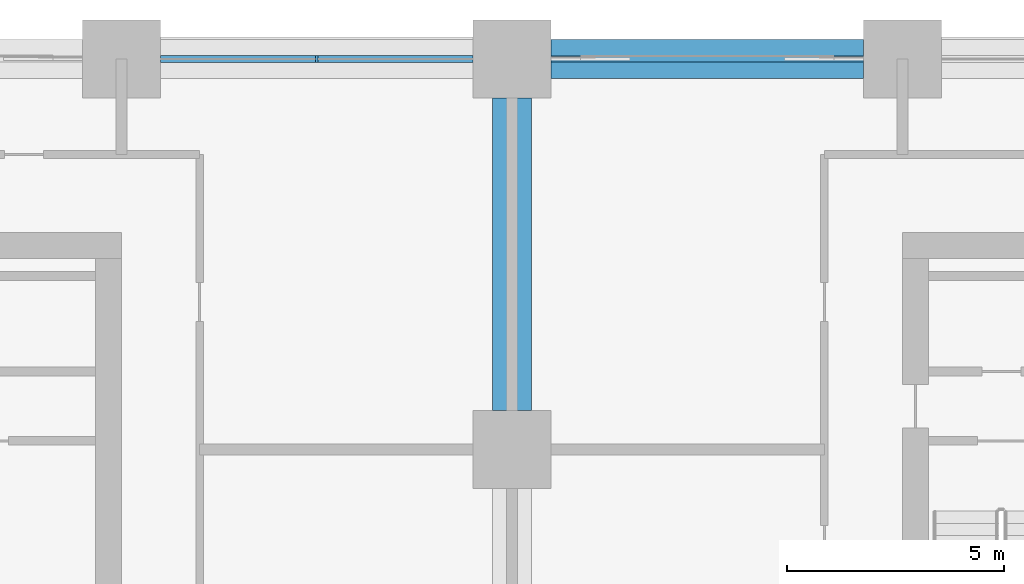
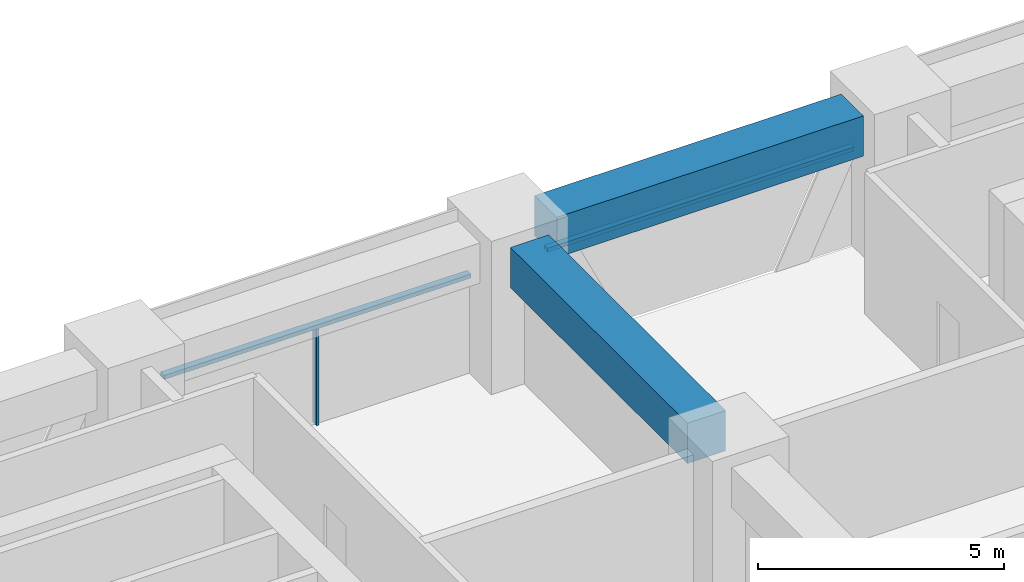
# One storey, part 7 of 18: 3 members, 2 beams, 2 elements without a shape of their own.
"""IFC4 building model written with IfcOpenShell, lengths in metres."""

import ifcopenshell
import ifcopenshell.guid

model = None  # the IFC model being written
_history = None  # IfcOwnerHistory: only IFC2X3 demands one
_inside = {}  # id of a spatial element -> (the spatial element, [elements in it])
_under = {}  # id of a project, library or spatial element -> (it, [spatial elements below it])
_declared = {}  # id of a project -> (the project, [libraries it declares])
_typed = {}  # id of a type object -> (the type object, [elements of that type])
_made_of = {}  # id of a material, layer set ... -> (it, [elements and type objects made of it])


def new_model(schema):
    """Start an empty IFC model of exactly this schema.

    Asked for "IFC4X3", IfcOpenShell would pick the latest addendum, in which some entities
    have other attributes; the version numbers below select the first issue.
    IFC2X3 requires an IfcOwnerHistory on every rooted entity: one is made here for all.
    """
    global model, _history
    if schema == "IFC4X3":
        model = ifcopenshell.file(schema_version=(4, 3, 0, 0))
    else:
        model = ifcopenshell.file(schema=schema)
    _inside.clear()
    _under.clear()
    _declared.clear()
    _typed.clear()
    _made_of.clear()
    _history = None
    if model.schema == "IFC2X3":
        org = make("IfcOrganization", Name="unknown")
        user = make(
            "IfcPersonAndOrganization",
            ThePerson=make("IfcPerson", FamilyName="unknown"),
            TheOrganization=org,
        )
        app = make(
            "IfcApplication",
            ApplicationDeveloper=org,
            Version="unknown",
            ApplicationFullName="unknown",
            ApplicationIdentifier="unknown",
        )
        _history = make(
            "IfcOwnerHistory",
            OwningUser=user,
            OwningApplication=app,
            ChangeAction="ADDED",
            CreationDate=0,
        )
    return model


def make(cls, **values):
    """One entity of the class cls with the attributes given. An attribute that is None is left unset."""
    return model.create_entity(
        cls, **{name: value for name, value in values.items() if value is not None}
    )


def rooted(cls, **values):
    """An entity with a GlobalId (a new one), such as an element, a storey or a relation."""
    return make(cls, GlobalId=ifcopenshell.guid.new(), OwnerHistory=_history, **values)


def si_unit(unit_type, name, prefix=None):
    """IfcSIUnit, for example si_unit("LENGTHUNIT", "METRE", prefix="MILLI")."""
    return make("IfcSIUnit", UnitType=unit_type, Prefix=prefix, Name=name)


def assignment(units):
    """IfcUnitAssignment: the units of a project."""
    return None if units is None else make("IfcUnitAssignment", Units=units)


def point(xyz):
    """IfcCartesianPoint."""
    return None if xyz is None else make("IfcCartesianPoint", Coordinates=xyz)


def direction(xyz):
    """IfcDirection."""
    return None if xyz is None else make("IfcDirection", DirectionRatios=xyz)


def frame(location, z_axis=None, x_axis=None):
    """IfcAxis2Placement3D, a coordinate frame: its origin and axes. An axis left out is left unset."""
    return make(
        "IfcAxis2Placement3D",
        Location=point(location),
        Axis=direction(z_axis),
        RefDirection=direction(x_axis),
    )


def frame_2d(location, x_axis=None):
    """IfcAxis2Placement2D, a coordinate frame in the plane: its origin and x axis."""
    return make(
        "IfcAxis2Placement2D", Location=point(location), RefDirection=direction(x_axis)
    )


def origin():
    """The frame at (0, 0, 0) with its axes left unset."""
    return frame((0.0, 0.0, 0.0))


def origin_2d():
    """The frame at (0, 0) in the plane with its x axis left unset."""
    return frame_2d((0.0, 0.0))


def place(relative_to, where):
    """IfcLocalPlacement: puts the frame where relative to a parent placement (None: the world)."""
    return make(
        "IfcLocalPlacement", PlacementRelTo=relative_to, RelativePlacement=where
    )


def context(
    kind, dimensions, precision=None, world=None, true_north=None, identifier=None
):
    """IfcGeometricRepresentationContext, for example the 3D "Model" context."""
    return make(
        "IfcGeometricRepresentationContext",
        ContextIdentifier=identifier,
        ContextType=kind,
        CoordinateSpaceDimension=dimensions,
        Precision=precision,
        WorldCoordinateSystem=world,
        TrueNorth=true_north,
    )


def subcontext(parent, identifier, kind, view, scale=None):
    """IfcGeometricRepresentationSubContext, for example "Body" below "Model"."""
    return make(
        "IfcGeometricRepresentationSubContext",
        ContextIdentifier=identifier,
        ContextType=kind,
        ParentContext=parent,
        TargetScale=scale,
        TargetView=view,
    )


def project(units=None, contexts=None):
    """IfcProject with its units and contexts."""
    return rooted(
        "IfcProject",
        Name="project",
        RepresentationContexts=contexts,
        UnitsInContext=assignment(units),
    )


def spatial(cls, under=None, at=None, **own):
    """A site, building, storey or space (cls), placed at a placement, below another one or the project."""
    s = rooted(cls, ObjectPlacement=at, **own)
    if under is not None:
        _under.setdefault(under.id(), (under, []))[1].append(s)
    return s


def profile(cls, at=None, kind="AREA", **sizes):
    """A parametric profile (cls). Its sizes go by their IFC names, for example OverallWidth=200.0."""
    return make(cls, ProfileType=kind, Position=at, **sizes)


def rectangle(**sizes):
    """IfcRectangleProfileDef."""
    return profile("IfcRectangleProfileDef", **sizes)


def extrude(swept, where, along, depth):
    """IfcExtrudedAreaSolid: the profile swept, set in the frame where, extruded along a direction by depth."""
    return make(
        "IfcExtrudedAreaSolid",
        SweptArea=swept,
        Position=where,
        ExtrudedDirection=direction(along),
        Depth=depth,
    )


def shape(context_of_items, identifier, shape_type, items):
    """IfcShapeRepresentation: the items that make up one representation, for example the "Body"."""
    return make(
        "IfcShapeRepresentation",
        ContextOfItems=context_of_items,
        RepresentationIdentifier=identifier,
        RepresentationType=shape_type,
        Items=items,
    )


def material(Name=None, Category=None):
    """IfcMaterial."""
    return make("IfcMaterial", Name=Name, Category=Category)


def material_profile(
    of_material, cross_section, Name=None, Category=None, Priority=None
):
    """IfcMaterialProfile: a cross section and its material."""
    return make(
        "IfcMaterialProfile",
        Name=Name,
        Material=of_material,
        Profile=cross_section,
        Priority=Priority,
        Category=Category,
    )


def profile_set(profiles, Name=None, composite=None):
    """IfcMaterialProfileSet."""
    return make(
        "IfcMaterialProfileSet",
        Name=Name,
        MaterialProfiles=profiles,
        CompositeProfile=composite,
    )


def made_of(thing, what):
    """Note that an element or type object is made of a material, layer set ...; save() writes the relation."""
    if what is not None:
        _made_of.setdefault(what.id(), (what, []))[1].append(thing)
    return thing


def type_object(cls, material=None, **own):
    """A type object (cls), such as IfcWallType, which elements share."""
    return made_of(rooted(cls, **own), material)


def element(
    cls,
    number,
    at=None,
    inside=None,
    cuts=None,
    type_object=None,
    material=None,
    context=None,
    identifier="Body",
    shape_type=None,
    held_by="IfcProductDefinitionShape",
    body=None,
    shapes=None,
    **own,
):
    """One element of the class cls, such as IfcWall. Its Tag is "e" and its number.

    at: its placement. inside: the storey or other place that contains it. cuts: it is an
    opening in that element (IfcRelVoidsElement). A single representation is given by context,
    identifier, shape_type and body (its items); several are given by shapes. held_by: the class
    of the entity that holds the representations. save() writes the other relations.
    """
    e = rooted(cls, Tag="e%d" % number, ObjectPlacement=at, **own)
    if body is not None:
        shapes = [shape(context, identifier, shape_type, body)]
    if shapes is not None:
        e.Representation = make(held_by, Representations=shapes)
    if inside is not None:
        _inside.setdefault(inside.id(), (inside, []))[1].append(e)
    if cuts is not None:
        rooted(
            "IfcRelVoidsElement", RelatingBuildingElement=cuts, RelatedOpeningElement=e
        )
    if type_object is not None:
        _typed.setdefault(type_object.id(), (type_object, []))[1].append(e)
    return made_of(e, material)


def aggregate(whole, parts):
    """IfcRelAggregates: a whole, such as a stair, and the parts it consists of."""
    return rooted("IfcRelAggregates", RelatingObject=whole, RelatedObjects=parts)


def save(model, path):
    """Write the relations noted so far, then the file.

    IfcRelAggregates (storeys below a building ...), IfcRelContainedInSpatialStructure (elements
    in a storey), IfcRelDefinesByType, IfcRelAssociatesMaterial and IfcRelDeclares: one each for
    every whole, place, type object, material and project.
    """
    for whole, parts in _under.values():
        aggregate(whole, parts)
    for where, things in _inside.values():
        rooted(
            "IfcRelContainedInSpatialStructure",
            RelatedElements=things,
            RelatingStructure=where,
        )
    for kind, things in _typed.values():
        rooted("IfcRelDefinesByType", RelatedObjects=things, RelatingType=kind)
    for what, things in _made_of.values():
        rooted("IfcRelAssociatesMaterial", RelatedObjects=things, RelatingMaterial=what)
    for by, libraries in _declared.values():
        rooted("IfcRelDeclares", RelatingContext=by, RelatedDefinitions=libraries)
    model.write(path)


model = new_model("IFC4")

# Units and contexts
model_context = context("Model", 3, precision=1e-05, world=origin(), true_north=direction((0.0, 1.0)))
body_context = subcontext(model_context, "Body", "Model", "MODEL_VIEW")
ifc_project = project(units=[si_unit("LENGTHUNIT", "METRE"), si_unit("AREAUNIT", "SQUARE_METRE"), si_unit("VOLUMEUNIT", "CUBIC_METRE"), si_unit("PLANEANGLEUNIT", "RADIAN"), si_unit("MASSUNIT", "GRAM", prefix="KILO")], contexts=[model_context])

# Site, building, storey
site_placement = place(None, origin())
site = spatial("IfcSite", under=ifc_project, at=site_placement, CompositionType="ELEMENT")
building_placement = place(site_placement, origin())
building = spatial("IfcBuilding", under=site, at=building_placement, Name="Tessera Arch", CompositionType="ELEMENT")
storey_placement = place(building_placement, frame((0.0, 0.0, 104.39990234375)))
storey = spatial("IfcBuildingStorey", under=building, at=storey_placement, Name="L24", CompositionType="ELEMENT", Elevation=104.39990234375)

# Curtain wall, members
ifc_material_1 = material(Name="CW1 curtain wall")
curtain_wall_type_1 = type_object("IfcCurtainWallType", Name="CW1 curtain wall", PredefinedType="NOTDEFINED", material=ifc_material_1)
curtain_wall_1_placement = place(storey_placement, origin())
curtain_wall_1 = element("IfcCurtainWall", 1, at=curtain_wall_1_placement, inside=storey, type_object=curtain_wall_type_1, Name="CW1 curtain wall N54.0/2 L24", PredefinedType="NOTDEFINED")
ifc_material_2 = material(Name="Anodised aluminium pale metal", Category="aluminium")
ifc_material_profile_1 = material_profile(ifc_material_2, rectangle(XDim=0.159912109375, YDim=0.06005859375, at=origin_2d()), Name="AL 60x160")
ifc_profile_set_1 = profile_set([ifc_material_profile_1], Name="Anodised aluminium pale metal")
member_type_1 = type_object("IfcMemberType", Name="CW1 mullion", PredefinedType="MULLION", material=ifc_profile_set_1)
member_1_placement = place(storey_placement, frame((22.5, 54.0, 0.0), z_axis=(0.0, 0.0, 1.0), x_axis=(0.0, -1.0, 0.0)))
member_1 = element("IfcMember", 2, at=member_1_placement, type_object=member_type_1, Name="CW1 mullion N54.0/2 1", PredefinedType="MULLION", context=body_context, shape_type="SweptSolid", body=[
    extrude(rectangle(XDim=0.159912109375, YDim=0.06005859375, at=origin_2d()), origin(), (0.0, 0.0, 1.0), 2.400146484375),
])
ifc_material_3 = material(Name="Anodised aluminium pale metal", Category="aluminium")
ifc_material_profile_2 = material_profile(ifc_material_3, rectangle(XDim=0.159912109375, YDim=0.10009765625, at=origin_2d()), Name="AL 160x100")
ifc_profile_set_2 = profile_set([ifc_material_profile_2], Name="Anodised aluminium pale metal")
member_type_2 = type_object("IfcMemberType", Name="CW1 transom", PredefinedType="USERDEFINED", material=ifc_profile_set_2)
member_2_placement = place(storey_placement, frame((26.10009765625, 54.0, 2.4501953125), z_axis=(-1.0, 0.0, 0.0), x_axis=(0.0, -1.0, 0.0)))
member_2 = element("IfcMember", 3, at=member_2_placement, type_object=member_type_2, Name="CW1 transom N54.0/2 1.1", ObjectType="TRANSOM", PredefinedType="USERDEFINED", context=body_context, shape_type="SweptSolid", body=[
    extrude(rectangle(XDim=0.159912109375, YDim=0.10009765625, at=origin_2d()), origin(), (0.0, 0.0, 1.0), 7.2001953125),
])
aggregate(curtain_wall_1, [member_1, member_2])

# Curtain wall, member
ifc_material_4 = material(Name="CW3 curtain wall")
curtain_wall_type_2 = type_object("IfcCurtainWallType", Name="CW3 curtain wall", PredefinedType="NOTDEFINED", material=ifc_material_4)
curtain_wall_2_placement = place(storey_placement, origin())
curtain_wall_2 = element("IfcCurtainWall", 4, at=curtain_wall_2_placement, inside=storey, type_object=curtain_wall_type_2, Name="CW3 curtain wall N54.0/1 L24", PredefinedType="NOTDEFINED")
ifc_material_5 = material(Name="Anodised aluminium pale metal", Category="aluminium")
ifc_material_profile_3 = material_profile(ifc_material_5, rectangle(XDim=0.139892578125, YDim=0.10009765625, at=origin_2d()), Name="AL 140x100")
ifc_profile_set_3 = profile_set([ifc_material_profile_3], Name="Anodised aluminium pale metal")
member_type_3 = type_object("IfcMemberType", Name="CW3 transom", PredefinedType="USERDEFINED", material=ifc_profile_set_3)
member_3_placement = place(storey_placement, frame((35.10009765625, 54.0, 2.4501953125), z_axis=(-1.0, 0.0, 0.0), x_axis=(0.0, -1.0, 0.0)))
member_3 = element("IfcMember", 5, at=member_3_placement, type_object=member_type_3, Name="CW3 transom N54.0/1 1.1", ObjectType="TRANSOM", PredefinedType="USERDEFINED", context=body_context, shape_type="SweptSolid", body=[
    extrude(rectangle(XDim=0.139892578125, YDim=0.10009765625, at=origin_2d()), origin(), (0.0, 0.0, 1.0), 7.2001953125),
])
aggregate(curtain_wall_2, [member_3])

# Beams
ifc_material_6 = material(Name="Concrete C80/95", Category="concrete")
ifc_material_profile_4 = material_profile(ifc_material_6, rectangle(XDim=0.89990234375, YDim=1.0, at=origin_2d()), Name="RC spandrel beam 900 x 1000 Concrete C80/95")
ifc_profile_set_4 = profile_set([ifc_material_profile_4], Name="Concrete C80/95")
beam_type = type_object("IfcBeamType", Name="RC spandrel beam 900 x 1000 Concrete C80/95", PredefinedType="BEAM", material=ifc_profile_set_4)
for number, where, z_axis, x_axis, name in (
    (6, (35.10009765625, 54.0, 3.0), (-1.0, 0.0, 0.0), (0.0, -1.0, 0.0), "Spandrel beam L24 N54.0/1"),
    (7, (27.0, 45.89990234375, 3.0), (0.0, 1.0, 0.0), (-1.0, 0.0, 0.0), "Interface beam L24 I0C4F-C4G"),
):
    element("IfcBeam", number, at=place(storey_placement, frame(where, z_axis=z_axis, x_axis=x_axis)), inside=storey, type_object=beam_type, Name=name, PredefinedType="BEAM", context=body_context, shape_type="SweptSolid", body=[
        extrude(rectangle(XDim=0.89990234375, YDim=1.0, at=origin_2d()), origin(), (0.0, 0.0, 1.0), 7.2001953125),
    ])

save(model, "model.ifc")
